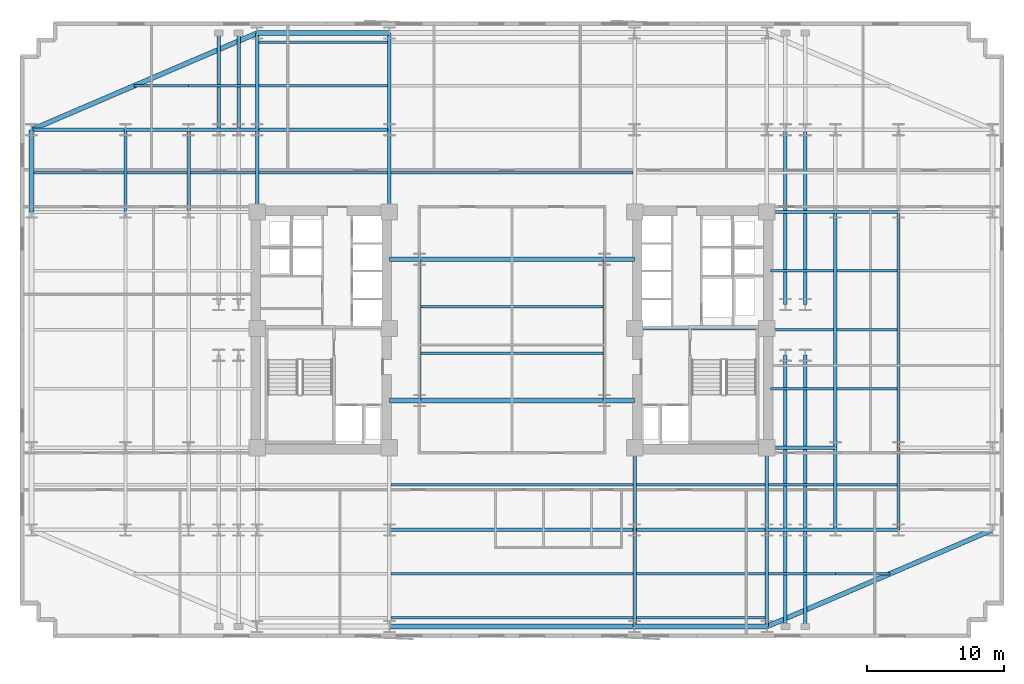
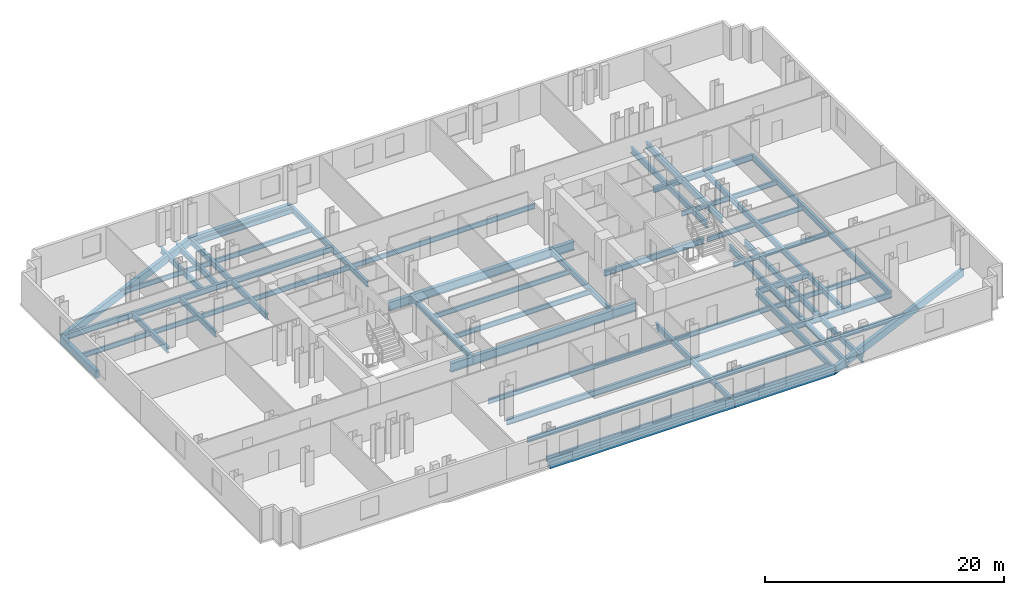
# One storey, part 2 of 10: 75 beams.
"""IFC4 building model written with IfcOpenShell, lengths in metres."""

from ifc_helpers import new_model, si_unit, direction, frame, origin, origin_2d, place, context, subcontext, project, spatial, rectangle, i_section, extrude, material, material_profile, profile_set, type_object, element, save


model = new_model("IFC4")

# Units and contexts
model_context = context("Model", 3, precision=1e-05, world=origin(), true_north=direction((0.0, 1.0)))
body_context = subcontext(model_context, "Body", "Model", "MODEL_VIEW")
ifc_project = project(units=[si_unit("LENGTHUNIT", "METRE"), si_unit("AREAUNIT", "SQUARE_METRE"), si_unit("VOLUMEUNIT", "CUBIC_METRE"), si_unit("PLANEANGLEUNIT", "RADIAN"), si_unit("MASSUNIT", "GRAM", prefix="KILO")], contexts=[model_context])

# Site, building, storey
site_placement = place(None, origin())
site = spatial("IfcSite", under=ifc_project, at=site_placement, CompositionType="ELEMENT")
building_placement = place(site_placement, origin())
building = spatial("IfcBuilding", under=site, at=building_placement, Name="Velakula Bourse", CompositionType="ELEMENT")
storey_placement = place(building_placement, frame((0.0, 0.0, 58.800048828125)))
storey = spatial("IfcBuildingStorey", under=building, at=storey_placement, Name="L15", CompositionType="ELEMENT", Elevation=58.800048828125)

# Beams
ifc_material_1 = material(Name="Steel IS 2062 Grade 350 (E350)", Category="steel")
ifc_material_profile_1 = material_profile(ifc_material_1, i_section(OverallWidth=0.25, OverallDepth=0.60009765625, WebThickness=0.01171875, FlangeThickness=0.023681640625, at=origin_2d()), Name="Steel IS 2062 Grade 350 (E350)")
ifc_profile_set_1 = profile_set([ifc_material_profile_1], Name="Steel IS 2062 Grade 350 (E350)")
beam_type_1 = type_object("IfcBeamType", Name="BM-GRD-600H", PredefinedType="BEAM", material=ifc_profile_set_1)
beam_1_placement = place(storey_placement, frame((8.949951171875, 0.10009765625, -0.47998046875), z_axis=(1.0, 0.0, 0.0), x_axis=(0.0, 1.0, 0.0)))
element("IfcBeam", 1, at=beam_1_placement, inside=storey, type_object=beam_type_1, Name="L15 Primary Backbone Girder CRE-M", PredefinedType="BEAM", context=body_context, shape_type="SweptSolid", body=[
    extrude(i_section(OverallWidth=0.25, OverallDepth=0.60009765625, WebThickness=0.01171875, FlangeThickness=0.023681640625, at=origin_2d()), origin(), (0.0, 0.0, 1.0), 9.650146484375),
])
for number, where, z_axis, x_axis, name in (
    (2, (-6.75, -5.14990234375, -0.47998046875), (0.0, 1.0, 0.0), (-1.0, 0.0, 0.0), "L15 Primary Backbone Girder SPN-W"),
    (3, (6.75, -5.14990234375, -0.47998046875), (0.0, 1.0, 0.0), (-1.0, 0.0, 0.0), "L15 Primary Backbone Girder SPN-E"),
):
    element("IfcBeam", number, at=place(storey_placement, frame(where, z_axis=z_axis, x_axis=x_axis)), inside=storey, type_object=beam_type_1, Name=name, PredefinedType="BEAM", context=body_context, shape_type="SweptSolid", body=[
        extrude(i_section(OverallWidth=0.25, OverallDepth=0.60009765625, WebThickness=0.01171875, FlangeThickness=0.023681640625, at=origin_2d()), origin(), (0.0, 0.0, 1.0), 10.2998046875),
    ])
for number, where, z_axis, x_axis, name in (
    (4, (-18.60009765625, 8.60009765625, -0.47998046875), (0.0, 1.0, 0.0), (-1.0, 0.0, 0.0), "L15 Fulcrum Grid Girder FLC-WN"),
    (5, (-8.949951171875, 8.60009765625, -0.47998046875), (0.0, 1.0, 0.0), (-1.0, 0.0, 0.0), "L15 Fulcrum Grid Girder FLC-WCN"),
    (6, (8.949951171875, -14.60009765625, -0.47998046875), (0.0, 1.0, 0.0), (-1.0, 0.0, 0.0), "L15 Fulcrum Grid Girder FLC-ECS"),
    (7, (18.60009765625, -14.60009765625, -0.47998046875), (0.0, 1.0, 0.0), (-1.0, 0.0, 0.0), "L15 Fulcrum Grid Girder FLC-ES"),
):
    element("IfcBeam", number, at=place(storey_placement, frame(where, z_axis=z_axis, x_axis=x_axis)), inside=storey, type_object=beam_type_1, Name=name, PredefinedType="BEAM", context=body_context, shape_type="SweptSolid", body=[
        extrude(i_section(OverallWidth=0.25, OverallDepth=0.60009765625, WebThickness=0.01171875, FlangeThickness=0.023681640625, at=origin_2d()), origin(), (0.0, 0.0, 1.0), 6.0),
    ])
beam_2_placement = place(storey_placement, frame((-8.949951171875, -14.60009765625, -0.47998046875), z_axis=(1.0, 0.0, 0.0), x_axis=(0.0, 1.0, 0.0)))
element("IfcBeam", 8, at=beam_2_placement, inside=storey, type_object=beam_type_1, Name="L15 Fulcrum Grid Girder FLC-S2", PredefinedType="BEAM", context=body_context, shape_type="SweptSolid", body=[
    extrude(i_section(OverallWidth=0.25, OverallDepth=0.60009765625, WebThickness=0.01171875, FlangeThickness=0.023681640625, at=origin_2d()), origin(), (0.0, 0.0, 1.0), 17.89990234375),
])
for number, where, z_axis, x_axis, name in (
    (9, (8.949951171875, -14.60009765625, -0.47998046875), (1.0, 0.0, 0.0), (0.0, 1.0, 0.0), "L15 Fulcrum Grid Girder FLC-S3"),
    (10, (-18.60009765625, 14.60009765625, -0.47998046875), (1.0, 0.0, 0.0), (0.0, 1.0, 0.0), "L15 Fulcrum Grid Girder FLC-N1"),
):
    element("IfcBeam", number, at=place(storey_placement, frame(where, z_axis=z_axis, x_axis=x_axis)), inside=storey, type_object=beam_type_1, Name=name, PredefinedType="BEAM", context=body_context, shape_type="SweptSolid", body=[
        extrude(i_section(OverallWidth=0.25, OverallDepth=0.60009765625, WebThickness=0.01171875, FlangeThickness=0.023681640625, at=origin_2d()), origin(), (0.0, 0.0, 1.0), 9.650146484375),
    ])
for number, where, z_axis, x_axis, name in (
    (11, (19.949951171875, -14.60009765625, -0.47998046875), (0.0, 1.0, 0.0), (-1.0, 0.0, 0.0), "L15 Fulcrum Grid Girder FLC-PSE1"),
    (12, (19.949951171875, 1.85009765625, -0.47998046875), (0.0, 1.0, 0.0), (-1.0, 0.0, 0.0), "L15 Fulcrum Grid Girder FLC-PNE1"),
    (13, (21.39990234375, -14.60009765625, -0.47998046875), (0.0, 1.0, 0.0), (-1.0, 0.0, 0.0), "L15 Fulcrum Grid Girder FLC-PSE2"),
    (14, (21.39990234375, 1.85009765625, -0.47998046875), (0.0, 1.0, 0.0), (-1.0, 0.0, 0.0), "L15 Fulcrum Grid Girder FLC-PNE2"),
):
    element("IfcBeam", number, at=place(storey_placement, frame(where, z_axis=z_axis, x_axis=x_axis)), inside=storey, type_object=beam_type_1, Name=name, PredefinedType="BEAM", context=body_context, shape_type="SweptSolid", body=[
        extrude(i_section(OverallWidth=0.25, OverallDepth=0.60009765625, WebThickness=0.01171875, FlangeThickness=0.023681640625, at=origin_2d()), origin(), (0.0, 0.0, 1.0), 12.75),
    ])
beam_3_placement = place(storey_placement, frame((-23.60009765625, 14.60009765625, -0.47998046875), z_axis=(1.0, 0.0, 0.0), x_axis=(0.0, 1.0, 0.0)))
element("IfcBeam", 15, at=beam_3_placement, inside=storey, type_object=beam_type_1, Name="L15 Fulcrum Grid Girder MWG-WN2", PredefinedType="BEAM", context=body_context, shape_type="SweptSolid", body=[
    extrude(i_section(OverallWidth=0.25, OverallDepth=0.60009765625, WebThickness=0.01171875, FlangeThickness=0.023681640625, at=origin_2d()), origin(), (0.0, 0.0, 1.0), 5.0),
])
beam_4_placement = place(storey_placement, frame((-23.60009765625, 8.60009765625, -0.47998046875), z_axis=(0.0, 1.0, 0.0), x_axis=(-1.0, 0.0, 0.0)))
element("IfcBeam", 16, at=beam_4_placement, inside=storey, type_object=beam_type_1, Name="L15 Fulcrum Grid Girder MWG-WNS3", PredefinedType="BEAM", context=body_context, shape_type="SweptSolid", body=[
    extrude(i_section(OverallWidth=0.25, OverallDepth=0.60009765625, WebThickness=0.01171875, FlangeThickness=0.023681640625, at=origin_2d()), origin(), (0.0, 0.0, 1.0), 6.0),
])
for number, where, z_axis, x_axis, name in (
    (17, (18.60009765625, -14.60009765625, -0.47998046875), (1.0, 0.0, 0.0), (0.0, 1.0, 0.0), "L15 Fulcrum Grid Girder MWG-ES1"),
    (18, (18.60009765625, -8.60009765625, -0.47998046875), (1.0, 0.0, 0.0), (0.0, 1.0, 0.0), "L15 Fulcrum Grid Girder MWG-ES2"),
    (19, (18.60009765625, 8.60009765625, -0.47998046875), (1.0, 0.0, 0.0), (0.0, 1.0, 0.0), "L15 Fulcrum Grid Girder MWG-EN1"),
):
    element("IfcBeam", number, at=place(storey_placement, frame(where, z_axis=z_axis, x_axis=x_axis)), inside=storey, type_object=beam_type_1, Name=name, PredefinedType="BEAM", context=body_context, shape_type="SweptSolid", body=[
        extrude(i_section(OverallWidth=0.25, OverallDepth=0.60009765625, WebThickness=0.01171875, FlangeThickness=0.023681640625, at=origin_2d()), origin(), (0.0, 0.0, 1.0), 5.0),
    ])
beam_5_placement = place(storey_placement, frame((23.60009765625, -14.60009765625, -0.47998046875), z_axis=(0.0, 1.0, 0.0), x_axis=(-1.0, 0.0, 0.0)))
element("IfcBeam", 20, at=beam_5_placement, inside=storey, type_object=beam_type_1, Name="L15 Fulcrum Grid Girder MWG-ENS1", PredefinedType="BEAM", context=body_context, shape_type="SweptSolid", body=[
    extrude(i_section(OverallWidth=0.25, OverallDepth=0.60009765625, WebThickness=0.01171875, FlangeThickness=0.023681640625, at=origin_2d()), origin(), (0.0, 0.0, 1.0), 6.0),
])
beam_6_placement = place(storey_placement, frame((23.60009765625, -8.60009765625, -0.47998046875), z_axis=(0.0, 1.0, 0.0), x_axis=(-1.0, 0.0, 0.0)))
element("IfcBeam", 21, at=beam_6_placement, inside=storey, type_object=beam_type_1, Name="L15 Fulcrum Grid Girder MWG-ENS2", PredefinedType="BEAM", context=body_context, shape_type="SweptSolid", body=[
    extrude(i_section(OverallWidth=0.25, OverallDepth=0.60009765625, WebThickness=0.01171875, FlangeThickness=0.023681640625, at=origin_2d()), origin(), (0.0, 0.0, 1.0), 17.2001953125),
])
beam_7_placement = place(storey_placement, frame((-28.199951171875, 14.60009765625, -0.47998046875), z_axis=(1.0, 0.0, 0.0), x_axis=(0.0, 1.0, 0.0)))
element("IfcBeam", 22, at=beam_7_placement, inside=storey, type_object=beam_type_1, Name="L15 Fulcrum Grid Girder WNG-WN2", PredefinedType="BEAM", context=body_context, shape_type="SweptSolid", body=[
    extrude(i_section(OverallWidth=0.25, OverallDepth=0.60009765625, WebThickness=0.01171875, FlangeThickness=0.023681640625, at=origin_2d()), origin(), (0.0, 0.0, 1.0), 4.599853515625),
])
beam_8_placement = place(storey_placement, frame((-28.199951171875, 8.60009765625, -0.47998046875), z_axis=(0.0, 1.0, 0.0), x_axis=(-1.0, 0.0, 0.0)))
element("IfcBeam", 23, at=beam_8_placement, inside=storey, type_object=beam_type_1, Name="L15 Fulcrum Grid Girder WNG-WNS3", PredefinedType="BEAM", context=body_context, shape_type="SweptSolid", body=[
    extrude(i_section(OverallWidth=0.25, OverallDepth=0.60009765625, WebThickness=0.01171875, FlangeThickness=0.023681640625, at=origin_2d()), origin(), (0.0, 0.0, 1.0), 6.0),
])
for number, where, z_axis, x_axis, name in (
    (24, (23.60009765625, -14.60009765625, -0.47998046875), (1.0, 0.0, 0.0), (0.0, 1.0, 0.0), "L15 Fulcrum Grid Girder WNG-ES1"),
    (25, (23.60009765625, 8.60009765625, -0.47998046875), (1.0, 0.0, 0.0), (0.0, 1.0, 0.0), "L15 Fulcrum Grid Girder WNG-EN1"),
):
    element("IfcBeam", number, at=place(storey_placement, frame(where, z_axis=z_axis, x_axis=x_axis)), inside=storey, type_object=beam_type_1, Name=name, PredefinedType="BEAM", context=body_context, shape_type="SweptSolid", body=[
        extrude(i_section(OverallWidth=0.25, OverallDepth=0.60009765625, WebThickness=0.01171875, FlangeThickness=0.023681640625, at=origin_2d()), origin(), (0.0, 0.0, 1.0), 4.599853515625),
    ])
beam_9_placement = place(storey_placement, frame((28.199951171875, -14.60009765625, -0.47998046875), z_axis=(0.0, 1.0, 0.0), x_axis=(-1.0, 0.0, 0.0)))
element("IfcBeam", 26, at=beam_9_placement, inside=storey, type_object=beam_type_1, Name="L15 Fulcrum Grid Girder WNG-ENS1", PredefinedType="BEAM", context=body_context, shape_type="SweptSolid", body=[
    extrude(i_section(OverallWidth=0.25, OverallDepth=0.60009765625, WebThickness=0.01171875, FlangeThickness=0.023681640625, at=origin_2d()), origin(), (0.0, 0.0, 1.0), 6.0),
])
beam_10_placement = place(storey_placement, frame((28.199951171875, -8.60009765625, -0.47998046875), z_axis=(0.0, 1.0, 0.0), x_axis=(-1.0, 0.0, 0.0)))
element("IfcBeam", 27, at=beam_10_placement, inside=storey, type_object=beam_type_1, Name="L15 Fulcrum Grid Girder WNG-ENS2", PredefinedType="BEAM", context=body_context, shape_type="SweptSolid", body=[
    extrude(i_section(OverallWidth=0.25, OverallDepth=0.60009765625, WebThickness=0.01171875, FlangeThickness=0.023681640625, at=origin_2d()), origin(), (0.0, 0.0, 1.0), 17.2001953125),
])
for number, where, z_axis, x_axis, name in (
    (28, (8.949951171875, -14.60009765625, -0.47998046875), (0.0, -1.0, 0.0), (1.0, 0.0, 0.0), "L15 Perimeter Tie Girder S3"),
    (29, (18.60009765625, -14.60009765625, -0.47998046875), (0.0, -1.0, 0.0), (1.0, 0.0, 0.0), "L15 Perimeter Tie Girder S4"),
    (30, (-18.60009765625, 14.60009765625, -0.47998046875), (0.0, 1.0, 0.0), (-1.0, 0.0, 0.0), "L15 Perimeter Tie Girder N1"),
    (31, (-8.949951171875, 14.60009765625, -0.47998046875), (0.0, 1.0, 0.0), (-1.0, 0.0, 0.0), "L15 Perimeter Tie Girder N2"),
):
    element("IfcBeam", number, at=place(storey_placement, frame(where, z_axis=z_axis, x_axis=x_axis)), inside=storey, type_object=beam_type_1, Name=name, PredefinedType="BEAM", context=body_context, shape_type="SweptSolid", body=[
        extrude(i_section(OverallWidth=0.25, OverallDepth=0.60009765625, WebThickness=0.01171875, FlangeThickness=0.023681640625, at=origin_2d()), origin(), (0.0, 0.0, 1.0), 7.0498046875),
    ])
beam_11_placement = place(storey_placement, frame((-28.199951171875, 14.60009765625, -0.47998046875), z_axis=(-1.0, 0.0, 0.0), x_axis=(0.0, -1.0, 0.0)))
element("IfcBeam", 32, at=beam_11_placement, inside=storey, type_object=beam_type_1, Name="L15 Perimeter Tie Girder W4", PredefinedType="BEAM", context=body_context, shape_type="SweptSolid", body=[
    extrude(i_section(OverallWidth=0.25, OverallDepth=0.60009765625, WebThickness=0.01171875, FlangeThickness=0.023681640625, at=origin_2d()), origin(), (0.0, 0.0, 1.0), 6.85009765625),
])
for number, where, z_axis, x_axis, name in (
    (33, (19.949951171875, -14.60009765625, -0.47998046875), (0.0, -1.0, 0.0), (1.0, 0.0, 0.0), "L15 Perimeter Tie Girder P03"),
    (34, (21.39990234375, -14.60009765625, -0.47998046875), (0.0, -1.0, 0.0), (1.0, 0.0, 0.0), "L15 Perimeter Tie Girder P04"),
    (35, (-21.39990234375, 14.60009765625, -0.47998046875), (0.0, 1.0, 0.0), (-1.0, 0.0, 0.0), "L15 Perimeter Tie Girder P05"),
    (36, (-19.949951171875, 14.60009765625, -0.47998046875), (0.0, 1.0, 0.0), (-1.0, 0.0, 0.0), "L15 Perimeter Tie Girder P06"),
):
    element("IfcBeam", number, at=place(storey_placement, frame(where, z_axis=z_axis, x_axis=x_axis)), inside=storey, type_object=beam_type_1, Name=name, PredefinedType="BEAM", context=body_context, shape_type="SweptSolid", body=[
        extrude(i_section(OverallWidth=0.25, OverallDepth=0.60009765625, WebThickness=0.01171875, FlangeThickness=0.023681640625, at=origin_2d()), origin(), (0.0, 0.0, 1.0), 7.0498046875),
    ])
ifc_material_profile_2 = material_profile(ifc_material_1, i_section(OverallWidth=0.35009765625, OverallDepth=0.89990234375, WebThickness=0.02001953125, FlangeThickness=0.031982421875, at=origin_2d()), Name="Steel IS 2062 Grade 350 (E350)")
ifc_profile_set_2 = profile_set([ifc_material_profile_2], Name="Steel IS 2062 Grade 350 (E350)")
beam_type_2 = type_object("IfcBeamType", Name="BM-LNK-900", PredefinedType="BEAM", material=ifc_profile_set_2)
beam_12_placement = place(storey_placement, frame((-8.949951171875, -5.14990234375, -0.630126953125), z_axis=(1.0, 0.0, 0.0), x_axis=(0.0, 1.0, 0.0)))
element("IfcBeam", 37, at=beam_12_placement, inside=storey, type_object=beam_type_2, Name="L15 Primary Backbone Girder LNK-S1", PredefinedType="BEAM", context=body_context, shape_type="SweptSolid", body=[
    extrude(i_section(OverallWidth=0.35009765625, OverallDepth=0.89990234375, WebThickness=0.02001953125, FlangeThickness=0.031982421875, at=origin_2d()), origin(), (0.0, 0.0, 1.0), 2.199951171875),
])
beam_13_placement = place(storey_placement, frame((-6.75, -5.14990234375, -0.630126953125), z_axis=(1.0, 0.0, 0.0), x_axis=(0.0, 1.0, 0.0)))
element("IfcBeam", 38, at=beam_13_placement, inside=storey, type_object=beam_type_2, Name="L15 Primary Backbone Girder LNK-S2", PredefinedType="BEAM", context=body_context, shape_type="SweptSolid", body=[
    extrude(i_section(OverallWidth=0.35009765625, OverallDepth=0.89990234375, WebThickness=0.02001953125, FlangeThickness=0.031982421875, at=origin_2d()), origin(), (0.0, 0.0, 1.0), 13.5),
])
for number, where, z_axis, x_axis, name in (
    (39, (6.75, -5.14990234375, -0.630126953125), (1.0, 0.0, 0.0), (0.0, 1.0, 0.0), "L15 Primary Backbone Girder LNK-S3"),
    (40, (-8.949951171875, 5.14990234375, -0.630126953125), (1.0, 0.0, 0.0), (0.0, 1.0, 0.0), "L15 Primary Backbone Girder LNK-N1"),
):
    element("IfcBeam", number, at=place(storey_placement, frame(where, z_axis=z_axis, x_axis=x_axis)), inside=storey, type_object=beam_type_2, Name=name, PredefinedType="BEAM", context=body_context, shape_type="SweptSolid", body=[
        extrude(i_section(OverallWidth=0.35009765625, OverallDepth=0.89990234375, WebThickness=0.02001953125, FlangeThickness=0.031982421875, at=origin_2d()), origin(), (0.0, 0.0, 1.0), 2.199951171875),
    ])
beam_14_placement = place(storey_placement, frame((-6.75, 5.14990234375, -0.630126953125), z_axis=(1.0, 0.0, 0.0), x_axis=(0.0, 1.0, 0.0)))
element("IfcBeam", 41, at=beam_14_placement, inside=storey, type_object=beam_type_2, Name="L15 Primary Backbone Girder LNK-N2", PredefinedType="BEAM", context=body_context, shape_type="SweptSolid", body=[
    extrude(i_section(OverallWidth=0.35009765625, OverallDepth=0.89990234375, WebThickness=0.02001953125, FlangeThickness=0.031982421875, at=origin_2d()), origin(), (0.0, 0.0, 1.0), 13.5),
])
beam_15_placement = place(storey_placement, frame((6.75, 5.14990234375, -0.630126953125), z_axis=(1.0, 0.0, 0.0), x_axis=(0.0, 1.0, 0.0)))
element("IfcBeam", 42, at=beam_15_placement, inside=storey, type_object=beam_type_2, Name="L15 Primary Backbone Girder LNK-N3", PredefinedType="BEAM", context=body_context, shape_type="SweptSolid", body=[
    extrude(i_section(OverallWidth=0.35009765625, OverallDepth=0.89990234375, WebThickness=0.02001953125, FlangeThickness=0.031982421875, at=origin_2d()), origin(), (0.0, 0.0, 1.0), 2.199951171875),
])
ifc_material_profile_3 = material_profile(ifc_material_1, i_section(OverallWidth=0.179931640625, OverallDepth=0.5, WebThickness=0.01025390625, FlangeThickness=0.01708984375, at=origin_2d()), Name="Steel IS 2062 Grade 350 (E350)")
ifc_profile_set_3 = profile_set([ifc_material_profile_3], Name="Steel IS 2062 Grade 350 (E350)")
beam_type_3 = type_object("IfcBeamType", Name="JST-TWR-500", PredefinedType="JOIST", material=ifc_profile_set_3)
beam_16_placement = place(storey_placement, frame((-8.824951171875, -21.0, -0.429931640625), z_axis=(1.0, 0.0, 0.0), x_axis=(0.0, 1.0, 0.0)))
element("IfcBeam", 43, at=beam_16_placement, inside=storey, type_object=beam_type_3, Name="L15 Trading Floor Composite Joist 02", PredefinedType="JOIST", context=body_context, shape_type="SweptSolid", body=[
    extrude(i_section(OverallWidth=0.179931640625, OverallDepth=0.5, WebThickness=0.01025390625, FlangeThickness=0.01708984375, at=origin_2d()), origin(), (0.0, 0.0, 1.0), 17.64990234375),
])
beam_17_placement = place(storey_placement, frame((9.074951171875, -21.0, -0.429931640625), z_axis=(1.0, 0.0, 0.0), x_axis=(0.0, 1.0, 0.0)))
element("IfcBeam", 44, at=beam_17_placement, inside=storey, type_object=beam_type_3, Name="L15 Trading Floor Composite Joist 03", PredefinedType="JOIST", context=body_context, shape_type="SweptSolid", body=[
    extrude(i_section(OverallWidth=0.179931640625, OverallDepth=0.5, WebThickness=0.01025390625, FlangeThickness=0.01708984375, at=origin_2d()), origin(), (0.0, 0.0, 1.0), 9.400146484375),
])
beam_18_placement = place(storey_placement, frame((-8.824951171875, -17.800048828125, -0.429931640625), z_axis=(1.0, 0.0, 0.0), x_axis=(0.0, 1.0, 0.0)))
element("IfcBeam", 45, at=beam_18_placement, inside=storey, type_object=beam_type_3, Name="L15 Trading Floor Composite Joist 07", PredefinedType="JOIST", context=body_context, shape_type="SweptSolid", body=[
    extrude(i_section(OverallWidth=0.179931640625, OverallDepth=0.5, WebThickness=0.01025390625, FlangeThickness=0.01708984375, at=origin_2d()), origin(), (0.0, 0.0, 1.0), 17.64990234375),
])
beam_19_placement = place(storey_placement, frame((9.074951171875, -17.800048828125, -0.429931640625), z_axis=(1.0, 0.0, 0.0), x_axis=(0.0, 1.0, 0.0)))
element("IfcBeam", 46, at=beam_19_placement, inside=storey, type_object=beam_type_3, Name="L15 Trading Floor Composite Joist 08", PredefinedType="JOIST", context=body_context, shape_type="SweptSolid", body=[
    extrude(i_section(OverallWidth=0.179931640625, OverallDepth=0.5, WebThickness=0.01025390625, FlangeThickness=0.01708984375, at=origin_2d()), origin(), (0.0, 0.0, 1.0), 9.400146484375),
])
beam_20_placement = place(storey_placement, frame((18.72509765625, -17.800048828125, -0.429931640625), z_axis=(1.0, 0.0, 0.0), x_axis=(0.0, 1.0, 0.0)))
element("IfcBeam", 47, at=beam_20_placement, inside=storey, type_object=beam_type_3, Name="L15 Trading Floor Composite Joist 09", PredefinedType="JOIST", context=body_context, shape_type="SweptSolid", body=[
    extrude(i_section(OverallWidth=0.179931640625, OverallDepth=0.5, WebThickness=0.01025390625, FlangeThickness=0.01708984375, at=origin_2d()), origin(), (0.0, 0.0, 1.0), 4.875),
])
beam_21_placement = place(storey_placement, frame((23.60009765625, -17.800048828125, -0.429931640625), z_axis=(1.0, 0.0, 0.0), x_axis=(0.0, 1.0, 0.0)))
element("IfcBeam", 48, at=beam_21_placement, inside=storey, type_object=beam_type_3, Name="L15 Trading Floor Composite Joist 10", PredefinedType="JOIST", context=body_context, shape_type="SweptSolid", body=[
    extrude(i_section(OverallWidth=0.179931640625, OverallDepth=0.5, WebThickness=0.01025390625, FlangeThickness=0.01708984375, at=origin_2d()), origin(), (0.0, 0.0, 1.0), 3.983154296875),
])
beam_22_placement = place(storey_placement, frame((-8.824951171875, -11.300048828125, -0.429931640625), z_axis=(1.0, 0.0, 0.0), x_axis=(0.0, 1.0, 0.0)))
element("IfcBeam", 49, at=beam_22_placement, inside=storey, type_object=beam_type_3, Name="L15 Trading Floor Composite Joist 15", PredefinedType="JOIST", context=body_context, shape_type="SweptSolid", body=[
    extrude(i_section(OverallWidth=0.179931640625, OverallDepth=0.5, WebThickness=0.01025390625, FlangeThickness=0.01708984375, at=origin_2d()), origin(), (0.0, 0.0, 1.0), 17.64990234375),
])
beam_23_placement = place(storey_placement, frame((9.074951171875, -11.300048828125, -0.429931640625), z_axis=(1.0, 0.0, 0.0), x_axis=(0.0, 1.0, 0.0)))
element("IfcBeam", 50, at=beam_23_placement, inside=storey, type_object=beam_type_3, Name="L15 Trading Floor Composite Joist 16", PredefinedType="JOIST", context=body_context, shape_type="SweptSolid", body=[
    extrude(i_section(OverallWidth=0.179931640625, OverallDepth=0.5, WebThickness=0.01025390625, FlangeThickness=0.01708984375, at=origin_2d()), origin(), (0.0, 0.0, 1.0), 9.400146484375),
])
beam_24_placement = place(storey_placement, frame((18.72509765625, -11.300048828125, -0.429931640625), z_axis=(1.0, 0.0, 0.0), x_axis=(0.0, 1.0, 0.0)))
element("IfcBeam", 51, at=beam_24_placement, inside=storey, type_object=beam_type_3, Name="L15 Trading Floor Composite Joist 17", PredefinedType="JOIST", context=body_context, shape_type="SweptSolid", body=[
    extrude(i_section(OverallWidth=0.179931640625, OverallDepth=0.5, WebThickness=0.01025390625, FlangeThickness=0.01708984375, at=origin_2d()), origin(), (0.0, 0.0, 1.0), 4.75),
])
beam_25_placement = place(storey_placement, frame((23.72509765625, -11.300048828125, -0.429931640625), z_axis=(1.0, 0.0, 0.0), x_axis=(0.0, 1.0, 0.0)))
element("IfcBeam", 52, at=beam_25_placement, inside=storey, type_object=beam_type_3, Name="L15 Trading Floor Composite Joist 18", PredefinedType="JOIST", context=body_context, shape_type="SweptSolid", body=[
    extrude(i_section(OverallWidth=0.179931640625, OverallDepth=0.5, WebThickness=0.01025390625, FlangeThickness=0.01708984375, at=origin_2d()), origin(), (0.0, 0.0, 1.0), 4.349853515625),
])
beam_26_placement = place(storey_placement, frame((-34.875, 11.449951171875, -0.429931640625), z_axis=(1.0, 0.0, 0.0), x_axis=(0.0, 1.0, 0.0)))
element("IfcBeam", 53, at=beam_26_placement, inside=storey, type_object=beam_type_3, Name="L15 Trading Floor Composite Joist 20", PredefinedType="JOIST", context=body_context, shape_type="SweptSolid", body=[
    extrude(i_section(OverallWidth=0.179931640625, OverallDepth=0.5, WebThickness=0.01025390625, FlangeThickness=0.01708984375, at=origin_2d()), origin(), (0.0, 0.0, 1.0), 6.550048828125),
])
beam_27_placement = place(storey_placement, frame((-28.074951171875, 11.449951171875, -0.429931640625), z_axis=(1.0, 0.0, 0.0), x_axis=(0.0, 1.0, 0.0)))
element("IfcBeam", 54, at=beam_27_placement, inside=storey, type_object=beam_type_3, Name="L15 Trading Floor Composite Joist 21", PredefinedType="JOIST", context=body_context, shape_type="SweptSolid", body=[
    extrude(i_section(OverallWidth=0.179931640625, OverallDepth=0.5, WebThickness=0.01025390625, FlangeThickness=0.01708984375, at=origin_2d()), origin(), (0.0, 0.0, 1.0), 4.349853515625),
])
beam_28_placement = place(storey_placement, frame((-23.47509765625, 11.449951171875, -0.429931640625), z_axis=(1.0, 0.0, 0.0), x_axis=(0.0, 1.0, 0.0)))
element("IfcBeam", 55, at=beam_28_placement, inside=storey, type_object=beam_type_3, Name="L15 Trading Floor Composite Joist 22", PredefinedType="JOIST", context=body_context, shape_type="SweptSolid", body=[
    extrude(i_section(OverallWidth=0.179931640625, OverallDepth=0.5, WebThickness=0.01025390625, FlangeThickness=0.01708984375, at=origin_2d()), origin(), (0.0, 0.0, 1.0), 4.75),
])
beam_29_placement = place(storey_placement, frame((-18.47509765625, 11.449951171875, -0.429931640625), z_axis=(1.0, 0.0, 0.0), x_axis=(0.0, 1.0, 0.0)))
element("IfcBeam", 56, at=beam_29_placement, inside=storey, type_object=beam_type_3, Name="L15 Trading Floor Composite Joist 23", PredefinedType="JOIST", context=body_context, shape_type="SweptSolid", body=[
    extrude(i_section(OverallWidth=0.179931640625, OverallDepth=0.5, WebThickness=0.01025390625, FlangeThickness=0.01708984375, at=origin_2d()), origin(), (0.0, 0.0, 1.0), 9.400146484375),
])
beam_30_placement = place(storey_placement, frame((-8.824951171875, 11.449951171875, -0.429931640625), z_axis=(1.0, 0.0, 0.0), x_axis=(0.0, 1.0, 0.0)))
element("IfcBeam", 57, at=beam_30_placement, inside=storey, type_object=beam_type_3, Name="L15 Trading Floor Composite Joist 24", PredefinedType="JOIST", context=body_context, shape_type="SweptSolid", body=[
    extrude(i_section(OverallWidth=0.179931640625, OverallDepth=0.5, WebThickness=0.01025390625, FlangeThickness=0.01708984375, at=origin_2d()), origin(), (0.0, 0.0, 1.0), 17.64990234375),
])
beam_31_placement = place(storey_placement, frame((-27.583251953125, 17.800048828125, -0.429931640625), z_axis=(1.0, 0.0, 0.0), x_axis=(0.0, 1.0, 0.0)))
element("IfcBeam", 58, at=beam_31_placement, inside=storey, type_object=beam_type_3, Name="L15 Trading Floor Composite Joist 29", PredefinedType="JOIST", context=body_context, shape_type="SweptSolid", body=[
    extrude(i_section(OverallWidth=0.179931640625, OverallDepth=0.5, WebThickness=0.01025390625, FlangeThickness=0.01708984375, at=origin_2d()), origin(), (0.0, 0.0, 1.0), 3.983154296875),
])
beam_32_placement = place(storey_placement, frame((-23.60009765625, 17.800048828125, -0.429931640625), z_axis=(1.0, 0.0, 0.0), x_axis=(0.0, 1.0, 0.0)))
element("IfcBeam", 59, at=beam_32_placement, inside=storey, type_object=beam_type_3, Name="L15 Trading Floor Composite Joist 30", PredefinedType="JOIST", context=body_context, shape_type="SweptSolid", body=[
    extrude(i_section(OverallWidth=0.179931640625, OverallDepth=0.5, WebThickness=0.01025390625, FlangeThickness=0.01708984375, at=origin_2d()), origin(), (0.0, 0.0, 1.0), 4.875),
])
for number, where, z_axis, x_axis, name in (
    (60, (-18.47509765625, 17.800048828125, -0.429931640625), (1.0, 0.0, 0.0), (0.0, 1.0, 0.0), "L15 Trading Floor Composite Joist 31"),
    (61, (-18.47509765625, 21.0, -0.429931640625), (1.0, 0.0, 0.0), (0.0, 1.0, 0.0), "L15 Trading Floor Composite Joist 36"),
):
    element("IfcBeam", number, at=place(storey_placement, frame(where, z_axis=z_axis, x_axis=x_axis)), inside=storey, type_object=beam_type_3, Name=name, PredefinedType="JOIST", context=body_context, shape_type="SweptSolid", body=[
        extrude(i_section(OverallWidth=0.179931640625, OverallDepth=0.5, WebThickness=0.01025390625, FlangeThickness=0.01708984375, at=origin_2d()), origin(), (0.0, 0.0, 1.0), 9.400146484375),
    ])
for number, where, z_axis, x_axis, name in (
    (62, (-6.625, -1.699951171875, -0.429931640625), (1.0, 0.0, 0.0), (0.0, 1.0, 0.0), "L15 Trading Floor Composite Joist 39"),
    (63, (-6.625, 1.699951171875, -0.429931640625), (1.0, 0.0, 0.0), (0.0, 1.0, 0.0), "L15 Trading Floor Composite Joist 40"),
):
    element("IfcBeam", number, at=place(storey_placement, frame(where, z_axis=z_axis, x_axis=x_axis)), inside=storey, type_object=beam_type_3, Name=name, PredefinedType="JOIST", context=body_context, shape_type="SweptSolid", body=[
        extrude(i_section(OverallWidth=0.179931640625, OverallDepth=0.5, WebThickness=0.01025390625, FlangeThickness=0.01708984375, at=origin_2d()), origin(), (0.0, 0.0, 1.0), 13.25),
    ])
beam_33_placement = place(storey_placement, frame((18.85009765625, -4.300048828125, -0.429931640625), z_axis=(1.0, 0.0, 0.0), x_axis=(0.0, 1.0, 0.0)))
element("IfcBeam", 64, at=beam_33_placement, inside=storey, type_object=beam_type_3, Name="L15 Trading Floor Composite Joist 44", PredefinedType="JOIST", context=body_context, shape_type="SweptSolid", body=[
    extrude(i_section(OverallWidth=0.179931640625, OverallDepth=0.5, WebThickness=0.01025390625, FlangeThickness=0.01708984375, at=origin_2d()), origin(), (0.0, 0.0, 1.0), 4.625),
])
beam_34_placement = place(storey_placement, frame((23.72509765625, -4.300048828125, -0.429931640625), z_axis=(1.0, 0.0, 0.0), x_axis=(0.0, 1.0, 0.0)))
element("IfcBeam", 65, at=beam_34_placement, inside=storey, type_object=beam_type_3, Name="L15 Trading Floor Composite Joist 45", PredefinedType="JOIST", context=body_context, shape_type="SweptSolid", body=[
    extrude(i_section(OverallWidth=0.179931640625, OverallDepth=0.5, WebThickness=0.01025390625, FlangeThickness=0.01708984375, at=origin_2d()), origin(), (0.0, 0.0, 1.0), 4.349853515625),
])
beam_35_placement = place(storey_placement, frame((18.85009765625, 0.0, -0.429931640625), z_axis=(1.0, 0.0, 0.0), x_axis=(0.0, 1.0, 0.0)))
element("IfcBeam", 66, at=beam_35_placement, inside=storey, type_object=beam_type_3, Name="L15 Trading Floor Composite Joist 50", PredefinedType="JOIST", context=body_context, shape_type="SweptSolid", body=[
    extrude(i_section(OverallWidth=0.179931640625, OverallDepth=0.5, WebThickness=0.01025390625, FlangeThickness=0.01708984375, at=origin_2d()), origin(), (0.0, 0.0, 1.0), 4.625),
])
beam_36_placement = place(storey_placement, frame((23.72509765625, 0.0, -0.429931640625), z_axis=(1.0, 0.0, 0.0), x_axis=(0.0, 1.0, 0.0)))
element("IfcBeam", 67, at=beam_36_placement, inside=storey, type_object=beam_type_3, Name="L15 Trading Floor Composite Joist 51", PredefinedType="JOIST", context=body_context, shape_type="SweptSolid", body=[
    extrude(i_section(OverallWidth=0.179931640625, OverallDepth=0.5, WebThickness=0.01025390625, FlangeThickness=0.01708984375, at=origin_2d()), origin(), (0.0, 0.0, 1.0), 4.349853515625),
])
beam_37_placement = place(storey_placement, frame((18.85009765625, 4.300048828125, -0.429931640625), z_axis=(1.0, 0.0, 0.0), x_axis=(0.0, 1.0, 0.0)))
element("IfcBeam", 68, at=beam_37_placement, inside=storey, type_object=beam_type_3, Name="L15 Trading Floor Composite Joist 56", PredefinedType="JOIST", context=body_context, shape_type="SweptSolid", body=[
    extrude(i_section(OverallWidth=0.179931640625, OverallDepth=0.5, WebThickness=0.01025390625, FlangeThickness=0.01708984375, at=origin_2d()), origin(), (0.0, 0.0, 1.0), 4.625),
])
beam_38_placement = place(storey_placement, frame((23.72509765625, 4.300048828125, -0.429931640625), z_axis=(1.0, 0.0, 0.0), x_axis=(0.0, 1.0, 0.0)))
element("IfcBeam", 69, at=beam_38_placement, inside=storey, type_object=beam_type_3, Name="L15 Trading Floor Composite Joist 57", PredefinedType="JOIST", context=body_context, shape_type="SweptSolid", body=[
    extrude(i_section(OverallWidth=0.179931640625, OverallDepth=0.5, WebThickness=0.01025390625, FlangeThickness=0.01708984375, at=origin_2d()), origin(), (0.0, 0.0, 1.0), 4.349853515625),
])
ifc_material_2 = material(Name="Precast concrete M45 (fck 45 MPa)", Category="concrete")
ifc_material_profile_4 = material_profile(ifc_material_2, rectangle(XDim=0.35009765625, YDim=0.75, at=origin_2d()), Name="Precast concrete M45 (fck 45 MPa)")
ifc_profile_set_4 = profile_set([ifc_material_profile_4], Name="Precast concrete M45 (fck 45 MPa)")
beam_type_4 = type_object("IfcBeamType", Name="SPN-BRICK-750", PredefinedType="SPANDREL", material=ifc_profile_set_4)
beam_39_placement = place(storey_placement, frame((-8.949951171875, -21.64990234375, -0.554931640625), z_axis=(1.0, 0.0, 0.0), x_axis=(0.0, 1.0, 0.0)))
element("IfcBeam", 70, at=beam_39_placement, inside=storey, type_object=beam_type_4, Name="L15 Brick-Faced Precast Spandrel S2-S3", PredefinedType="SPANDREL", context=body_context, shape_type="SweptSolid", body=[
    extrude(rectangle(XDim=0.35009765625, YDim=0.75, at=origin_2d()), origin(), (0.0, 0.0, 1.0), 17.89990234375),
])
for number, where, z_axis, x_axis, name in (
    (71, (8.949951171875, -21.64990234375, -0.554931640625), (1.0, 0.0, 0.0), (0.0, 1.0, 0.0), "L15 Brick-Faced Precast Spandrel S3-S4"),
    (72, (-18.60009765625, 21.64990234375, -0.554931640625), (1.0, 0.0, 0.0), (0.0, 1.0, 0.0), "L15 Brick-Faced Precast Spandrel N1-N2"),
):
    element("IfcBeam", number, at=place(storey_placement, frame(where, z_axis=z_axis, x_axis=x_axis)), inside=storey, type_object=beam_type_4, Name=name, PredefinedType="SPANDREL", context=body_context, shape_type="SweptSolid", body=[
        extrude(rectangle(XDim=0.35009765625, YDim=0.75, at=origin_2d()), origin(), (0.0, 0.0, 1.0), 9.650146484375),
    ])
beam_40_placement = place(storey_placement, frame((-35.050048828125, 8.60009765625, -0.554931640625), z_axis=(0.0, 1.0, 0.0), x_axis=(-1.0, 0.0, 0.0)))
element("IfcBeam", 73, at=beam_40_placement, inside=storey, type_object=beam_type_4, Name="L15 Brick-Faced Precast Spandrel W3-W4", PredefinedType="SPANDREL", context=body_context, shape_type="SweptSolid", body=[
    extrude(rectangle(XDim=0.35009765625, YDim=0.75, at=origin_2d()), origin(), (0.0, 0.0, 1.0), 6.0),
])
for number, where, z_axis, x_axis, name in (
    (74, (18.60009765625, -21.64990234375, -0.554931640625), (0.919148557947, 0.393911066642, 0.0), (-0.393911066642, 0.919148557947, 0.0), "L15 Brick-Faced Precast Spandrel S4-E1"),
    (75, (-18.60009765625, 21.64990234375, -0.554931640625), (-0.919148557947, -0.393911066642, 0.0), (0.393911066642, -0.919148557947, 0.0), "L15 Brick-Faced Precast Spandrel N1-W4"),
):
    element("IfcBeam", number, at=place(storey_placement, frame(where, z_axis=z_axis, x_axis=x_axis)), inside=storey, type_object=beam_type_4, Name=name, PredefinedType="SPANDREL", context=body_context, shape_type="SweptSolid", body=[
        extrude(rectangle(XDim=0.35009765625, YDim=0.75, at=origin_2d()), origin(), (0.0, 0.0, 1.0), 17.89697265625),
    ])

save(model, "model.ifc")
